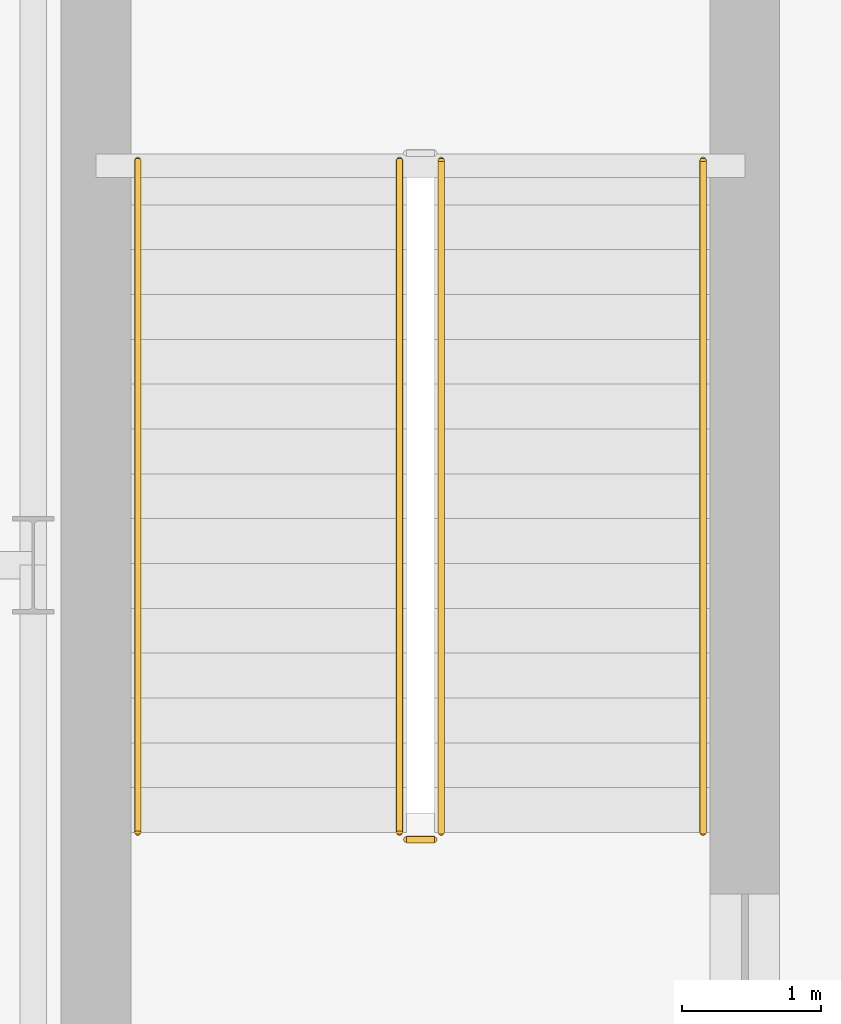
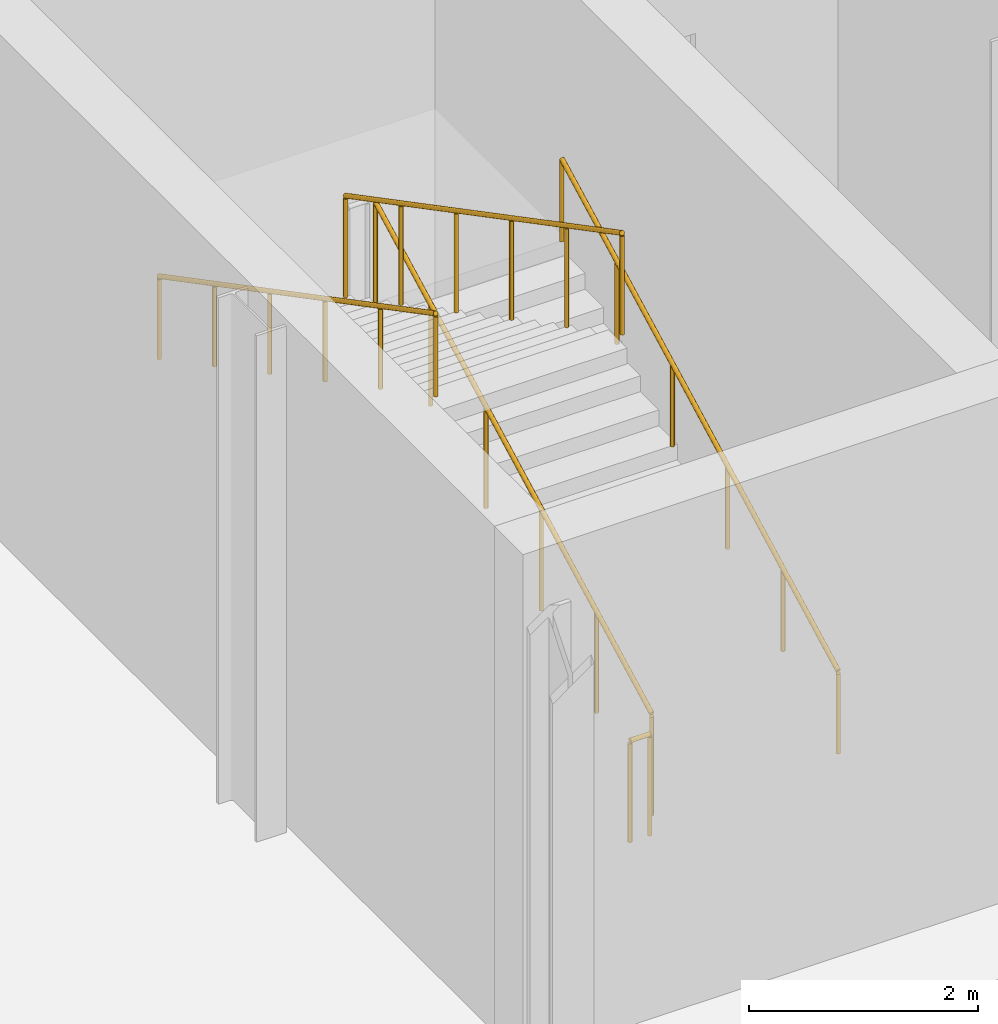
# One storey, part 72 of 78: 5 railings.
"""IFC4 building model written with IfcOpenShell, lengths in metres."""

from ifc_helpers import new_model, si_unit, direction, frame, origin, origin_2d, place, context, subcontext, project, spatial, circle, extrude, material, type_object, element, save


model = new_model("IFC4")

# Units and contexts
model_context = context("Model", 3, precision=1e-05, world=origin(), true_north=direction((0.0, 1.0)))
body_context = subcontext(model_context, "Body", "Model", "MODEL_VIEW")
ifc_project = project(units=[si_unit("LENGTHUNIT", "METRE"), si_unit("AREAUNIT", "SQUARE_METRE"), si_unit("VOLUMEUNIT", "CUBIC_METRE"), si_unit("PLANEANGLEUNIT", "RADIAN"), si_unit("MASSUNIT", "GRAM", prefix="KILO")], contexts=[model_context])

# Site, building, storey
site_placement = place(None, origin())
site = spatial("IfcSite", under=ifc_project, at=site_placement, CompositionType="ELEMENT")
building_placement = place(site_placement, origin())
building = spatial("IfcBuilding", under=site, at=building_placement, Name="Sefraquen Railside Congress Hotel", CompositionType="ELEMENT")
storey_placement = place(building_placement, frame((0.0, 0.0, 6.0)))
storey = spatial("IfcBuildingStorey", under=building, at=storey_placement, Name="L01", CompositionType="ELEMENT", Elevation=6.0)

# Railings
ifc_material = material(Name="Patinated wrought architectural bronze", Category="metal")
railing_type_1 = type_object("IfcRailingType", Name="TRL-BAL-110", PredefinedType="BALUSTRADE", material=ifc_material)
railing_1_placement = place(storey_placement, frame((67.1298828125, 99.47998046875, 0.168701171875)))
element("IfcRailing", 1, at=railing_1_placement, inside=storey, type_object=railing_type_1, Name="L01 ST-H03 stair guard 1", PredefinedType="BALUSTRADE", context=body_context, shape_type="SweptSolid", body=[
    extrude(circle(Radius=0.02392578125, at=origin_2d()), frame((0.0, 0.0, 1.076171875), z_axis=(0.0, 0.885740383855, 0.46418096946), x_axis=(-1.0, 0.0, 0.0)), (0.0, 0.0, 1.0), 5.453125),
    extrude(circle(Radius=0.02099609375, at=origin_2d()), origin(), (0.0, 0.0, 1.0), 1.052001953125),
    extrude(circle(Radius=0.02099609375, at=origin_2d()), frame((0.0, 0.966064453125, 0.50634765625)), (0.0, 0.0, 1.0), 1.052001953125),
    extrude(circle(Radius=0.02099609375, at=origin_2d()), frame((0.0, 1.93212890625, 1.012451171875)), (0.0, 0.0, 1.0), 1.052001953125),
    extrude(circle(Radius=0.02099609375, at=origin_2d()), frame((0.0, 2.89794921875, 1.518798828125)), (0.0, 0.0, 1.0), 1.052001953125),
    extrude(circle(Radius=0.02099609375, at=origin_2d()), frame((0.0, 3.864013671875, 2.02490234375)), (0.0, 0.0, 1.0), 1.052001953125),
    extrude(circle(Radius=0.02099609375, at=origin_2d()), frame((0.0, 4.830078125, 2.53125)), (0.0, 0.0, 1.0), 1.052001953125),
])
railing_2_placement = place(storey_placement, frame((66.830078125, 104.31005859375, 2.86865234375)))
element("IfcRailing", 2, at=railing_2_placement, inside=storey, type_object=railing_type_1, Name="L01 ST-H03 stair guard 3", PredefinedType="BALUSTRADE", context=body_context, shape_type="SweptSolid", body=[
    extrude(circle(Radius=0.02392578125, at=origin_2d()), frame((0.0, 0.0, 1.076171875), z_axis=(0.0, -0.885740383855, 0.46418096946), x_axis=(1.0, 0.0, 0.0)), (0.0, 0.0, 1.0), 5.453125),
    extrude(circle(Radius=0.02099609375, at=origin_2d()), origin(), (0.0, 0.0, 1.0), 1.052001953125),
    extrude(circle(Radius=0.02099609375, at=origin_2d()), frame((0.0, -0.966064453125, 0.50634765625)), (0.0, 0.0, 1.0), 1.052001953125),
    extrude(circle(Radius=0.02099609375, at=origin_2d()), frame((0.0, -1.93212890625, 1.012451171875)), (0.0, 0.0, 1.0), 1.052001953125),
    extrude(circle(Radius=0.02099609375, at=origin_2d()), frame((0.0, -2.89794921875, 1.518798828125)), (0.0, 0.0, 1.0), 1.052001953125),
    extrude(circle(Radius=0.02099609375, at=origin_2d()), frame((0.0, -3.864013671875, 2.02490234375)), (0.0, 0.0, 1.0), 1.052001953125),
    extrude(circle(Radius=0.02099609375, at=origin_2d()), frame((0.0, -4.830078125, 2.53125)), (0.0, 0.0, 1.0), 1.052001953125),
])
railing_3_placement = place(storey_placement, frame((67.080078125, 99.429931640625, 0.0)))
element("IfcRailing", 3, at=railing_3_placement, inside=storey, type_object=railing_type_1, Name="L01 ST-H03 stair guard 4", PredefinedType="BALUSTRADE", context=body_context, shape_type="SweptSolid", body=[
    extrude(circle(Radius=0.02392578125, at=origin_2d()), frame((0.0, 0.0, 1.076171875), z_axis=(-1.0, 0.0, 0.0), x_axis=(0.0, -1.0, 0.0)), (0.0, 0.0, 1.0), 0.2001953125),
    extrude(circle(Radius=0.02099609375, at=origin_2d()), origin(), (0.0, 0.0, 1.0), 1.052001953125),
    extrude(circle(Radius=0.02099609375, at=origin_2d()), frame((-0.2001953125, 0.0, 0.0)), (0.0, 0.0, 1.0), 1.052001953125),
])
railing_type_2 = type_object("IfcRailingType", Name="TRL-HR-090", PredefinedType="HANDRAIL", material=ifc_material)
railing_4_placement = place(storey_placement, frame((69.010009765625, 99.47998046875, 0.168701171875)))
element("IfcRailing", 4, at=railing_4_placement, inside=storey, type_object=railing_type_2, Name="L01 ST-H03 stair handrail 1", PredefinedType="HANDRAIL", context=body_context, shape_type="SweptSolid", body=[
    extrude(circle(Radius=0.02392578125, at=origin_2d()), frame((0.0, 0.0, 0.8759765625), z_axis=(0.0, 0.885740383855, 0.46418096946), x_axis=(-1.0, 0.0, 0.0)), (0.0, 0.0, 1.0), 5.453125),
    extrude(circle(Radius=0.02099609375, at=origin_2d()), origin(), (0.0, 0.0, 1.0), 0.851806640625),
    extrude(circle(Radius=0.02099609375, at=origin_2d()), frame((0.0, 0.966064453125, 0.50634765625)), (0.0, 0.0, 1.0), 0.851806640625),
    extrude(circle(Radius=0.02099609375, at=origin_2d()), frame((0.0, 1.93212890625, 1.012451171875)), (0.0, 0.0, 1.0), 0.851806640625),
    extrude(circle(Radius=0.02099609375, at=origin_2d()), frame((0.0, 2.89794921875, 1.518798828125)), (0.0, 0.0, 1.0), 0.851806640625),
    extrude(circle(Radius=0.02099609375, at=origin_2d()), frame((0.0, 3.864013671875, 2.02490234375)), (0.0, 0.0, 1.0), 0.851806640625),
    extrude(circle(Radius=0.02099609375, at=origin_2d()), frame((0.0, 4.830078125, 2.53125)), (0.0, 0.0, 1.0), 0.851806640625),
])
railing_5_placement = place(storey_placement, frame((64.949951171875, 104.31005859375, 2.86865234375)))
element("IfcRailing", 5, at=railing_5_placement, inside=storey, type_object=railing_type_2, Name="L01 ST-H03 stair handrail 2", PredefinedType="HANDRAIL", context=body_context, shape_type="SweptSolid", body=[
    extrude(circle(Radius=0.02392578125, at=origin_2d()), frame((0.0, 0.0, 0.8759765625), z_axis=(0.0, -0.885740383855, 0.46418096946), x_axis=(1.0, 0.0, 0.0)), (0.0, 0.0, 1.0), 5.453125),
    extrude(circle(Radius=0.02099609375, at=origin_2d()), origin(), (0.0, 0.0, 1.0), 0.851806640625),
    extrude(circle(Radius=0.02099609375, at=origin_2d()), frame((0.0, -0.966064453125, 0.50634765625)), (0.0, 0.0, 1.0), 0.851806640625),
    extrude(circle(Radius=0.02099609375, at=origin_2d()), frame((0.0, -1.93212890625, 1.012451171875)), (0.0, 0.0, 1.0), 0.851806640625),
    extrude(circle(Radius=0.02099609375, at=origin_2d()), frame((0.0, -2.89794921875, 1.518798828125)), (0.0, 0.0, 1.0), 0.851806640625),
    extrude(circle(Radius=0.02099609375, at=origin_2d()), frame((0.0, -3.864013671875, 2.02490234375)), (0.0, 0.0, 1.0), 0.851806640625),
    extrude(circle(Radius=0.02099609375, at=origin_2d()), frame((0.0, -4.830078125, 2.53125)), (0.0, 0.0, 1.0), 0.851806640625),
])

save(model, "model.ifc")
